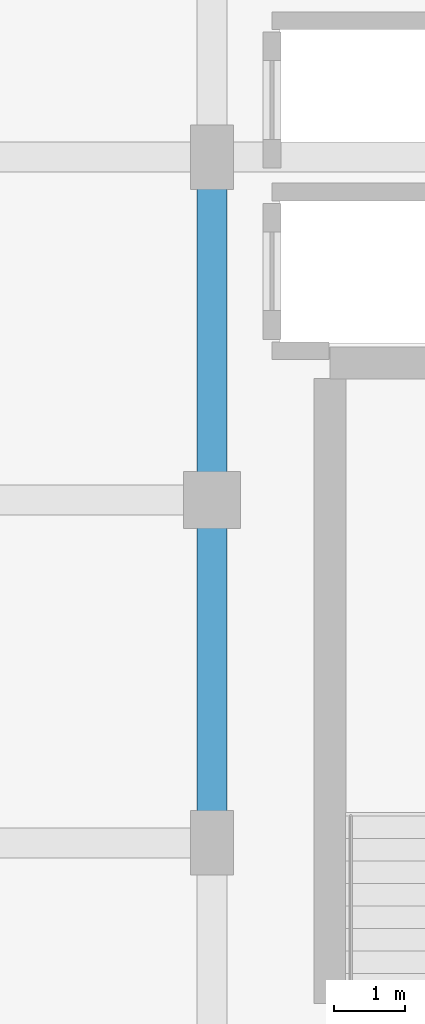
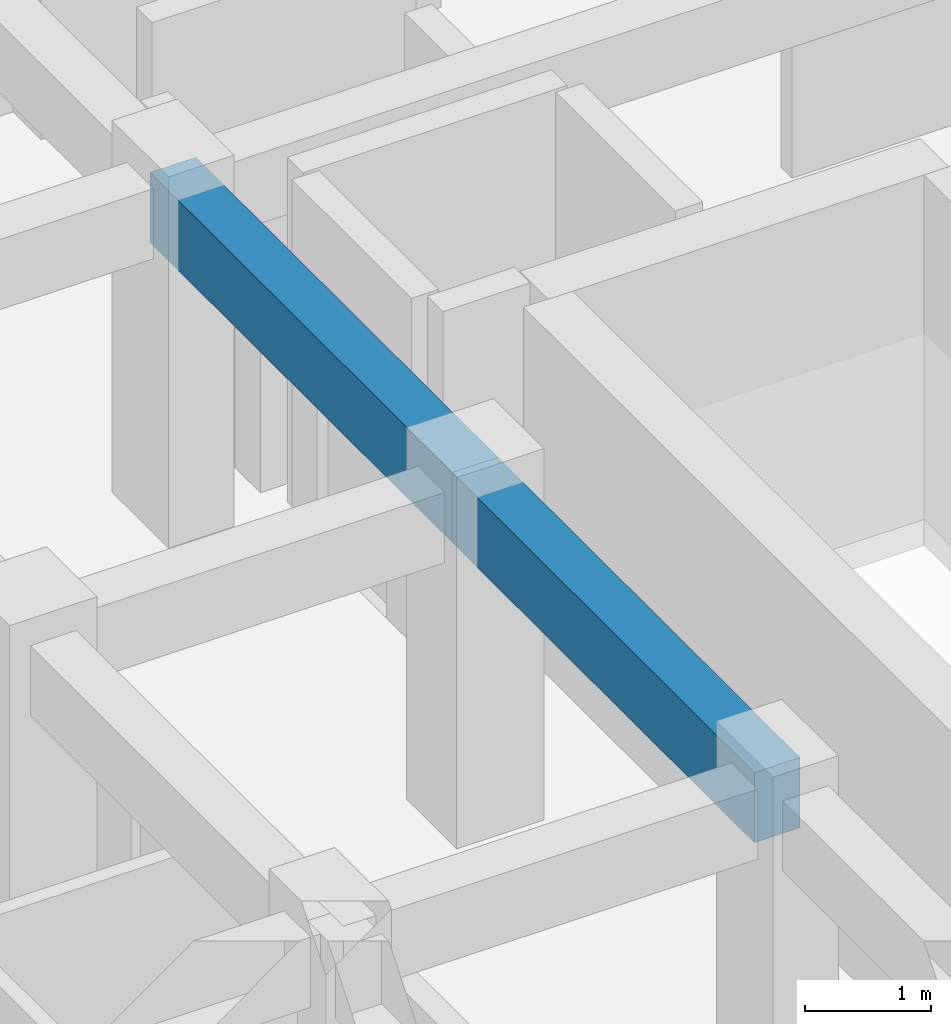
# One storey, part 11 of 82: 2 beams.
"""IFC4 building model written with IfcOpenShell, lengths in metres."""

from ifc_helpers import new_model, si_unit, direction, frame, origin, origin_2d, place, context, subcontext, project, spatial, rectangle, extrude, material, material_profile, profile_set, type_object, element, save


model = new_model("IFC4")

# Units and contexts
model_context = context("Model", 3, precision=1e-05, world=origin(), true_north=direction((0.0, 1.0)))
body_context = subcontext(model_context, "Body", "Model", "MODEL_VIEW")
ifc_project = project(units=[si_unit("LENGTHUNIT", "METRE"), si_unit("AREAUNIT", "SQUARE_METRE"), si_unit("VOLUMEUNIT", "CUBIC_METRE"), si_unit("PLANEANGLEUNIT", "RADIAN"), si_unit("MASSUNIT", "GRAM", prefix="KILO")], contexts=[model_context])

# Site, building, storey
site_placement = place(None, origin())
site = spatial("IfcSite", under=ifc_project, at=site_placement, CompositionType="ELEMENT")
building_placement = place(site_placement, origin())
building = spatial("IfcBuilding", under=site, at=building_placement, Name="Nakhvara Creek Congress Hotel", CompositionType="ELEMENT")
storey_placement = place(building_placement, frame((0.0, 0.0, 21.0)))
storey = spatial("IfcBuildingStorey", under=building, at=storey_placement, Name="L04", CompositionType="ELEMENT", Elevation=21.0)

# Beams
ifc_material = material(Name="Concrete C40/50", Category="concrete")
ifc_material_profile = material_profile(ifc_material, rectangle(XDim=0.419921875, YDim=0.679931640625, at=origin_2d()), Name="RC-BM 420x680", Category="LoadBearing")
ifc_profile_set = profile_set([ifc_material_profile], Name="Concrete C40/50")
beam_type = type_object("IfcBeamType", Name="BM-RC-420X680", PredefinedType="BEAM", material=ifc_profile_set)
beam_1_placement = place(storey_placement, frame((166.449951171875, 33.60009765625, 3.0), z_axis=(0.0, 1.0, 0.0), x_axis=(-1.0, 0.0, 0.0)))
element("IfcBeam", 1, at=beam_1_placement, inside=storey, type_object=beam_type, Name="Beam B11-L04-1980", PredefinedType="BEAM", context=body_context, shape_type="SweptSolid", body=[
    extrude(rectangle(XDim=0.419921875, YDim=0.679931640625, at=origin_2d()), origin(), (0.0, 0.0, 1.0), 4.7998046875),
])
beam_2_placement = place(storey_placement, frame((166.449951171875, 38.39990234375, 3.0), z_axis=(0.0, 1.0, 0.0), x_axis=(-1.0, 0.0, 0.0)))
element("IfcBeam", 2, at=beam_2_placement, inside=storey, type_object=beam_type, Name="Beam B11-L04-1981", PredefinedType="BEAM", context=body_context, shape_type="SweptSolid", body=[
    extrude(rectangle(XDim=0.419921875, YDim=0.679931640625, at=origin_2d()), origin(), (0.0, 0.0, 1.0), 4.800048828125),
])

save(model, "model.ifc")
